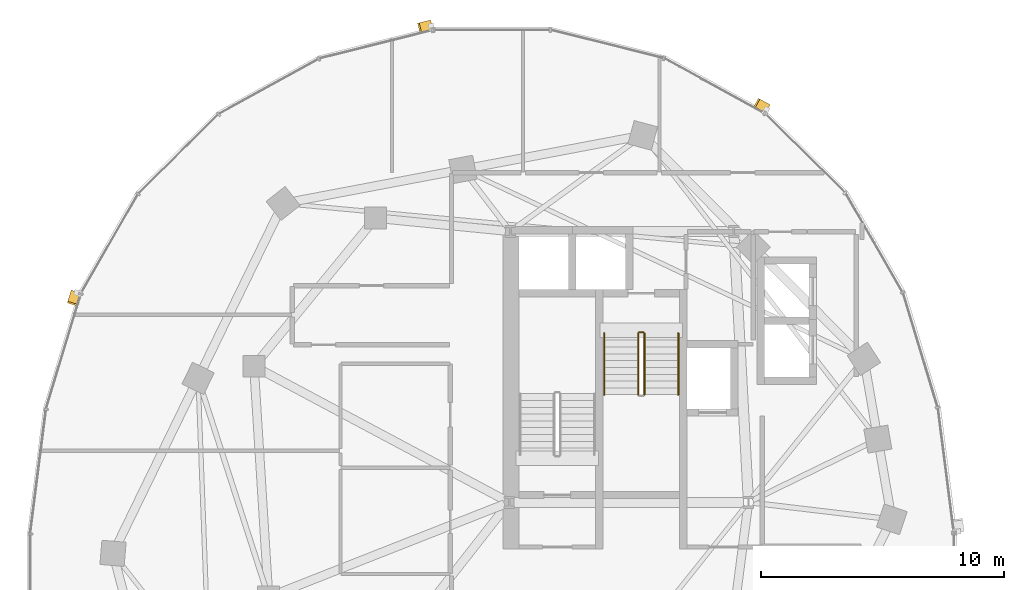
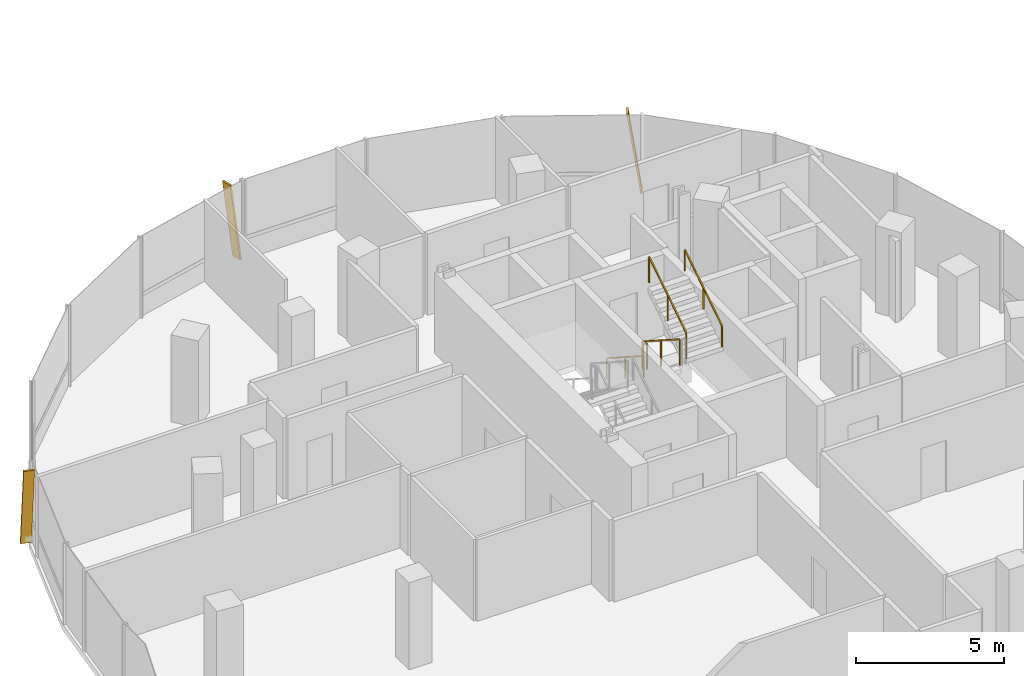
# One storey, part 20 of 22: 5 railings, 3 shading devices.
"""IFC4 building model written with IfcOpenShell, lengths in metres."""

from ifc_helpers import new_model, si_unit, direction, frame, origin, origin_2d, place, context, subcontext, project, spatial, rectangle, extrude, material, material_profile, profile_set, type_object, element, save


model = new_model("IFC4")

# Units and contexts
model_context = context("Model", 3, precision=1e-05, world=origin(), true_north=direction((0.0, 1.0)))
body_context = subcontext(model_context, "Body", "Model", "MODEL_VIEW")
ifc_project = project(units=[si_unit("LENGTHUNIT", "METRE"), si_unit("AREAUNIT", "SQUARE_METRE"), si_unit("VOLUMEUNIT", "CUBIC_METRE"), si_unit("PLANEANGLEUNIT", "RADIAN"), si_unit("MASSUNIT", "GRAM", prefix="KILO"), si_unit("THERMODYNAMICTEMPERATUREUNIT", "KELVIN"), si_unit("POWERUNIT", "WATT")], contexts=[model_context])

# Site, building, storey
site_placement = place(None, origin())
site = spatial("IfcSite", under=ifc_project, at=site_placement, CompositionType="ELEMENT")
building_placement = place(site_placement, origin())
building = spatial("IfcBuilding", under=site, at=building_placement, Name="Cundina Bronze Exchange", CompositionType="ELEMENT")
storey_placement = place(building_placement, frame((0.0, 0.0, 165.60009765625)))
storey = spatial("IfcBuildingStorey", under=building, at=storey_placement, Name="L43", CompositionType="ELEMENT", Elevation=165.60009765625)

# Railings
ifc_material_1 = material(Name="Steel ASTM A36 Painted", Category="steel")
railing_type_1 = type_object("IfcRailingType", Name="RLG-HND-900", PredefinedType="HANDRAIL", material=ifc_material_1)
railing_1_placement = place(storey_placement, frame((-27.389892578125, 10.85009765625, 0.179931640625)))
element("IfcRailing", 1, at=railing_1_placement, inside=storey, type_object=railing_type_1, Name="L43 ST-W2 stair handrail 1", PredefinedType="HANDRAIL", context=body_context, shape_type="SweptSolid", body=[
    extrude(rectangle(XDim=0.048095703125, YDim=0.048095703125, at=origin_2d()), frame((0.0, 0.0, 0.8759765625), z_axis=(0.0, -0.841199657755, 0.540724639528), x_axis=(1.0, 0.0, 0.0)), (0.0, 0.0, 1.0), 2.995849609375),
    extrude(rectangle(XDim=0.0419921875, YDim=0.0419921875, at=origin_2d()), origin(), (0.0, 0.0, 1.0), 0.851806640625),
    extrude(rectangle(XDim=0.0419921875, YDim=0.0419921875, at=origin_2d()), frame((0.0, -1.260009765625, 0.81005859375)), (0.0, 0.0, 1.0), 0.851806640625),
    extrude(rectangle(XDim=0.0419921875, YDim=0.0419921875, at=origin_2d()), frame((0.0, -2.52001953125, 1.619873046875)), (0.0, 0.0, 1.0), 0.851806640625),
])
railing_2_placement = place(storey_placement, frame((-24.330078125, 8.330078125, 1.97998046875)))
element("IfcRailing", 2, at=railing_2_placement, inside=storey, type_object=railing_type_1, Name="L43 ST-W2 stair handrail 2", PredefinedType="HANDRAIL", context=body_context, shape_type="SweptSolid", body=[
    extrude(rectangle(XDim=0.048095703125, YDim=0.048095703125, at=origin_2d()), frame((0.0, 0.0, 0.8759765625), z_axis=(0.0, 0.841199657755, 0.540724639528), x_axis=(-1.0, 0.0, 0.0)), (0.0, 0.0, 1.0), 2.995849609375),
    extrude(rectangle(XDim=0.0419921875, YDim=0.0419921875, at=origin_2d()), origin(), (0.0, 0.0, 1.0), 0.851806640625),
    extrude(rectangle(XDim=0.0419921875, YDim=0.0419921875, at=origin_2d()), frame((0.0, 1.260009765625, 0.81005859375)), (0.0, 0.0, 1.0), 0.851806640625),
    extrude(rectangle(XDim=0.0419921875, YDim=0.0419921875, at=origin_2d()), frame((0.0, 2.52001953125, 1.619873046875)), (0.0, 0.0, 1.0), 0.851806640625),
])
railing_type_2 = type_object("IfcRailingType", Name="RLG-STG-1100", PredefinedType="GUARDRAIL", material=ifc_material_1)
railing_3_placement = place(storey_placement, frame((-25.989990234375, 10.85009765625, 0.179931640625)))
element("IfcRailing", 3, at=railing_3_placement, inside=storey, type_object=railing_type_2, Name="L43 ST-W2 stair guard 1", PredefinedType="GUARDRAIL", context=body_context, shape_type="SweptSolid", body=[
    extrude(rectangle(XDim=0.048095703125, YDim=0.048095703125, at=origin_2d()), frame((0.0, 0.0, 1.076171875), z_axis=(0.0, -0.841199657755, 0.540724639528), x_axis=(1.0, 0.0, 0.0)), (0.0, 0.0, 1.0), 2.995849609375),
    extrude(rectangle(XDim=0.0419921875, YDim=0.0419921875, at=origin_2d()), origin(), (0.0, 0.0, 1.0), 1.052001953125),
    extrude(rectangle(XDim=0.0419921875, YDim=0.0419921875, at=origin_2d()), frame((0.0, -1.260009765625, 0.81005859375)), (0.0, 0.0, 1.0), 1.052001953125),
    extrude(rectangle(XDim=0.0419921875, YDim=0.0419921875, at=origin_2d()), frame((0.0, -2.52001953125, 1.619873046875)), (0.0, 0.0, 1.0), 1.052001953125),
])
railing_4_placement = place(storey_placement, frame((-25.72998046875, 8.330078125, 1.97998046875)))
element("IfcRailing", 4, at=railing_4_placement, inside=storey, type_object=railing_type_2, Name="L43 ST-W2 stair guard 3", PredefinedType="GUARDRAIL", context=body_context, shape_type="SweptSolid", body=[
    extrude(rectangle(XDim=0.048095703125, YDim=0.048095703125, at=origin_2d()), frame((0.0, 0.0, 1.076171875), z_axis=(0.0, 0.841199657755, 0.540724639528), x_axis=(-1.0, 0.0, 0.0)), (0.0, 0.0, 1.0), 2.995849609375),
    extrude(rectangle(XDim=0.0419921875, YDim=0.0419921875, at=origin_2d()), origin(), (0.0, 0.0, 1.0), 1.052001953125),
    extrude(rectangle(XDim=0.0419921875, YDim=0.0419921875, at=origin_2d()), frame((0.0, 1.260009765625, 0.81005859375)), (0.0, 0.0, 1.0), 1.052001953125),
    extrude(rectangle(XDim=0.0419921875, YDim=0.0419921875, at=origin_2d()), frame((0.0, 2.52001953125, 1.619873046875)), (0.0, 0.0, 1.0), 1.052001953125),
])
railing_5_placement = place(storey_placement, frame((-25.93994140625, 10.89990234375, 0.0)))
element("IfcRailing", 5, at=railing_5_placement, inside=storey, type_object=railing_type_2, Name="L43 ST-W2 stair guard 4", PredefinedType="GUARDRAIL", context=body_context, shape_type="SweptSolid", body=[
    extrude(rectangle(XDim=0.048095703125, YDim=0.048095703125, at=origin_2d()), frame((0.0, 0.0, 1.076171875), z_axis=(1.0, 0.0, 0.0), x_axis=(0.0, 1.0, 0.0)), (0.0, 0.0, 1.0), 0.159912109375),
    extrude(rectangle(XDim=0.0419921875, YDim=0.0419921875, at=origin_2d()), origin(), (0.0, 0.0, 1.0), 1.052001953125),
    extrude(rectangle(XDim=0.0419921875, YDim=0.0419921875, at=origin_2d()), frame((0.159912109375, 0.0, 0.0)), (0.0, 0.0, 1.0), 1.052001953125),
])

# Shading devices
ifc_material_2 = material(Name="Anodised Bronze Aluminium 6063-T6", Category="aluminium")
ifc_material_profile = material_profile(ifc_material_2, rectangle(XDim=0.070068359375, YDim=0.3798828125, at=origin_2d()), Name="FIN70X380", Category="aluminium")
ifc_profile_set = profile_set([ifc_material_profile], Name="Anodised Bronze Aluminium 6063-T6")
shading_device_type = type_object("IfcShadingDeviceType", Name="SHD-FIN-BRZ380", PredefinedType="USERDEFINED", material=ifc_profile_set)
for number, where, z_axis, x_axis, name in (
    (6, (-20.679931640625, 20.11181640625, 0.02001953125), (-0.125333488691, 0.068998924088, 0.989712415345), (0.867010347902, -0.477308832643, 0.143071083426), "L43 Diagonal Bronze Solar Fin 5"),
    (7, (-34.51953125, 23.556396484375, 0.02001953125), (-0.138798398751, -0.034717795597, 0.989711917263), (0.960131970194, 0.240158861973, 0.143074528925), "L43 Diagonal Bronze Solar Fin 1"),
    (8, (-49.151123046875, 12.5439453125, 0.02001953125), (-0.041486383227, -0.136977847776, 0.989704980904), (0.286882071994, 0.94721413946, 0.143122502684), "L43 Diagonal Bronze Solar Fin 5"),
):
    element("IfcShadingDevice", number, at=place(storey_placement, frame(where, z_axis=z_axis, x_axis=x_axis)), inside=storey, type_object=shading_device_type, Name=name, ObjectType="FIN", PredefinedType="USERDEFINED", context=body_context, shape_type="SweptSolid", body=[
        extrude(rectangle(XDim=0.070068359375, YDim=0.3798828125, at=origin_2d()), origin(), (0.0, 0.0, 1.0), 3.354248046875),
    ])

save(model, "model.ifc")
